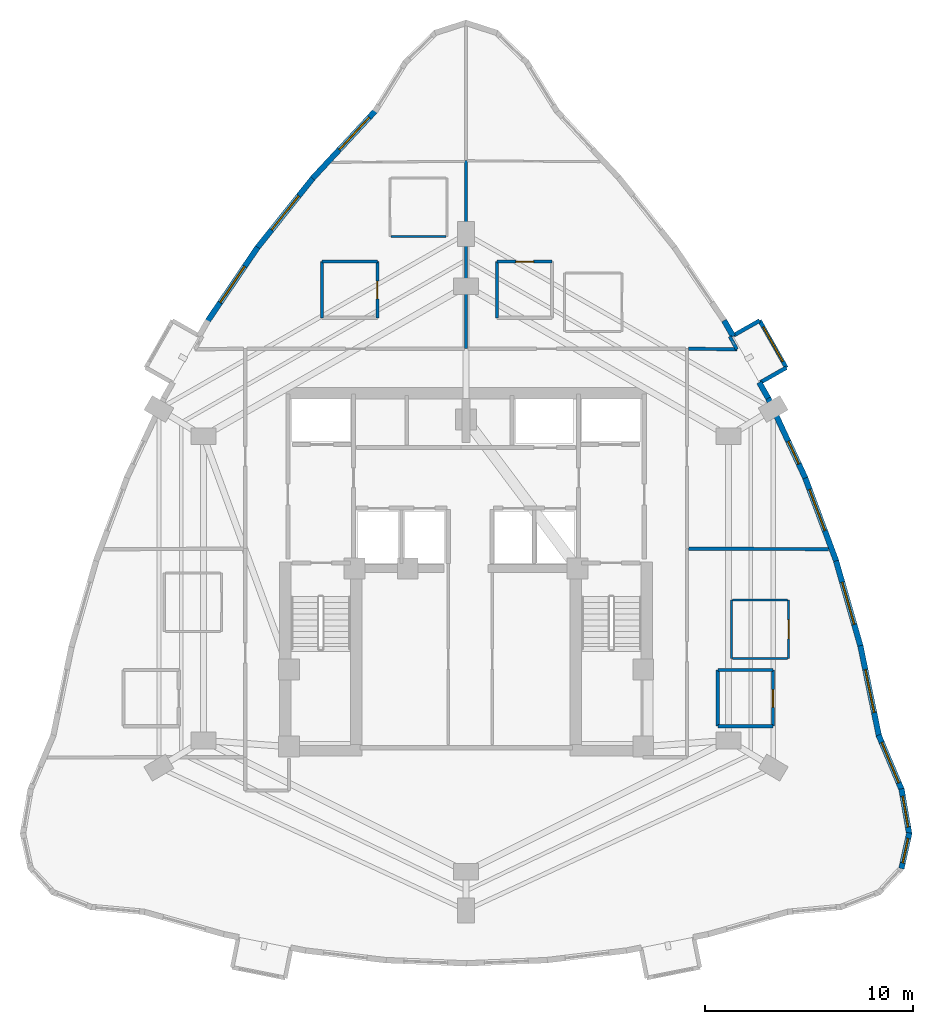
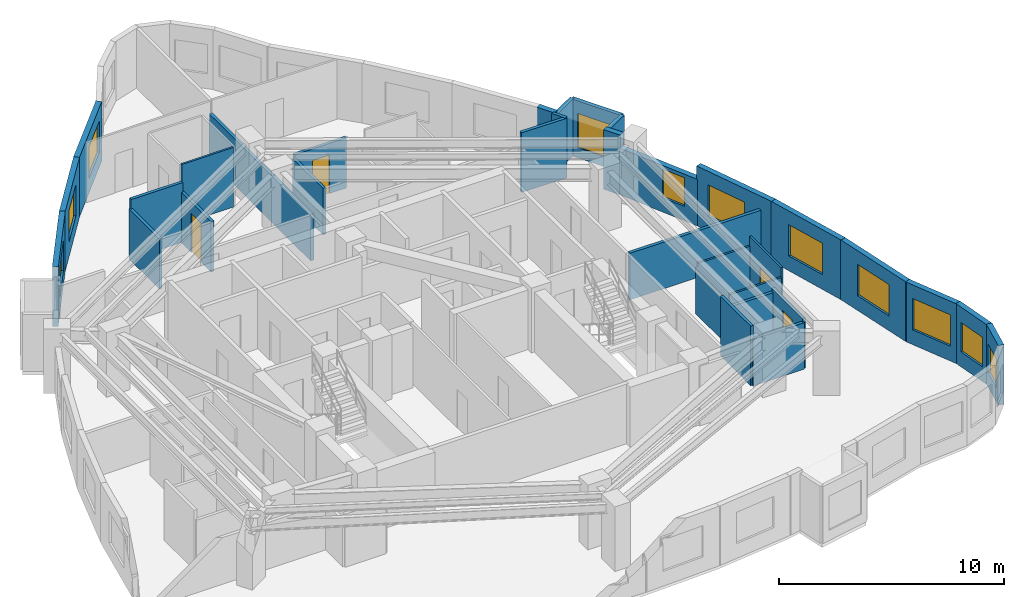
# One storey, part 8 of 10: 33 walls, 11 windows, 4 doors, 15 openings.
"""IFC4 building model written with IfcOpenShell, lengths in metres."""

from ifc_helpers import new_model, si_unit, direction, frame, frame_2d, origin, place, context, subcontext, project, spatial, rectangle, extrude, material, layer, layer_set, type_object, element, fill, save


model = new_model("IFC4")

# Units and contexts
model_context = context("Model", 3, precision=1e-05, world=origin(), true_north=direction((0.0, 1.0)))
body_context = subcontext(model_context, "Body", "Model", "MODEL_VIEW")
ifc_project = project(units=[si_unit("LENGTHUNIT", "METRE"), si_unit("AREAUNIT", "SQUARE_METRE"), si_unit("VOLUMEUNIT", "CUBIC_METRE"), si_unit("PLANEANGLEUNIT", "RADIAN"), si_unit("MASSUNIT", "GRAM", prefix="KILO")], contexts=[model_context])

# Site, building, storey
site_placement = place(None, origin())
site = spatial("IfcSite", under=ifc_project, at=site_placement, CompositionType="ELEMENT")
building_placement = place(site_placement, origin())
building = spatial("IfcBuilding", under=site, at=building_placement, Name="Miruveldt Soraemaru", CompositionType="ELEMENT")
storey_placement = place(building_placement, frame((0.0, 0.0, 166.89990234375)))
storey = spatial("IfcBuildingStorey", under=building, at=storey_placement, Name="L46", CompositionType="ELEMENT", Elevation=166.89990234375)

# Walls
ifc_material_1 = material(Name="White powder-coated aluminium EN AW-6060 T6", Category="aluminium")
ifc_layer_1 = layer(ifc_material_1, 0.18994140625, Name="White powder-coated aluminium EN AW-6060 T6", Category="aluminium")
ifc_layer_set_1 = layer_set([ifc_layer_1], Name="White powder-coated aluminium EN AW-6060 T6")
wall_type_1 = type_object("IfcWallType", Name="WALL-BAY-ALU190", PredefinedType="SOLIDWALL", material=ifc_layer_set_1)
for number, where, z_axis, x_axis, name in (
    (1, (58.132080078125, 52.982666015625, 0.0), (0.0, 0.0, 1.0), (0.869799191674, 0.493405883794, 0.0), "L46 Bay Window Side Cheek 4L"),
    (2, (58.0888671875, 55.947265625, 0.0), (0.0, 0.0, 1.0), (-0.869799191674, -0.493405883794, 0.0), "L46 Bay Window Side Cheek 4R"),
):
    element("IfcWall", number, at=place(storey_placement, frame(where, z_axis=z_axis, x_axis=x_axis)), inside=storey, type_object=wall_type_1, Name=name, PredefinedType="SOLIDWALL", context=body_context, shape_type="SweptSolid", body=[
        extrude(rectangle(XDim=1.425048828125, YDim=0.18994140625, at=frame_2d((0.71240234375, 0.0))), origin(), (0.0, 0.0, 1.0), 3.085205078125),
    ])

# Wall, opening, window
wall_1_placement = place(storey_placement, frame((59.37158203125, 53.685791015625, 0.0), z_axis=(0.0, 0.0, 1.0), x_axis=(-0.493365555553, 0.869822067203, 0.0)))
wall_1 = element("IfcWall", 3, at=wall_1_placement, inside=storey, type_object=wall_type_1, Name="L46 Bay Window Front Frame 4", PredefinedType="SOLIDWALL", context=body_context, shape_type="SweptSolid", body=[
    extrude(rectangle(XDim=2.599853515625, YDim=0.18994140625, at=frame_2d((1.2998046875, 0.0))), origin(), (0.0, 0.0, 1.0), 3.085205078125),
])
opening_1_placement = place(wall_1_placement, frame((0.35009765625, 0.0, 0.550048828125)))
opening_1 = element("IfcOpeningElement", 4, at=opening_1_placement, cuts=wall_1, Name="Opening WN-6", PredefinedType="OPENING", context=body_context, shape_type="SweptSolid", body=[
    extrude(rectangle(XDim=1.89990234375, YDim=1.85009765625, at=frame_2d((0.949951171875, 0.925048828125))), frame((0.0, 0.10498046875, 0.0), z_axis=(0.0, -1.0, 0.0), x_axis=(1.0, 0.0, 0.0)), (0.0, 0.0, 1.0), 0.2099609375),
])
ifc_material_2 = material(Name="Triple low-e insulated glazing", Category="glass")
window_type_1 = type_object("IfcWindowType", Name="WIN-BAYW-1900x1850", PartitioningType="SINGLE_PANEL", PredefinedType="WINDOW", material=ifc_material_2)
window_1_placement = place(opening_1_placement, origin())
window_1 = element("IfcWindow", 5, at=window_1_placement, inside=storey, type_object=window_type_1, Name="L46 Projecting Bay Window 4", OverallHeight=1.85009765625, OverallWidth=1.89990234375, PartitioningType="SINGLE_PANEL", PredefinedType="WINDOW", context=body_context, shape_type="SweptSolid", body=[
    extrude(rectangle(XDim=1.89990234375, YDim=1.85009765625, at=frame_2d((0.949951171875, 0.925048828125))), frame((0.0, 0.030029296875, 0.0), z_axis=(0.0, -1.0, 0.0), x_axis=(1.0, 0.0, 0.0)), (0.0, 0.0, 1.0), 0.06005859375),
])
fill(opening_1, window_1)

ifc_material_3 = material(Name="Precast concrete C45/55 (45 MPa)", Category="concrete")
ifc_layer_2 = layer(ifc_material_3, 0.27001953125, Name="Precast concrete C45/55 (45 MPa)", Category="concrete")
ifc_layer_set_2 = layer_set([ifc_layer_2], Name="Precast concrete C45/55 (45 MPa)")
wall_type_2 = type_object("IfcWallType", Name="WALL-EXT-PC270", PredefinedType="SOLIDWALL", material=ifc_layer_set_2)
wall_2_placement = place(storey_placement, frame((39.665771484375, 66.03076171875, 0.0), z_axis=(0.0, 0.0, 1.0), x_axis=(-0.680840456656, -0.732431752848, 0.0)))
wall_2 = element("IfcWall", 6, at=wall_2_placement, inside=storey, type_object=wall_type_2, Name="L46 Precast Concrete Facade Wall 7", PredefinedType="SOLIDWALL", context=body_context, shape_type="SweptSolid", body=[
    extrude(rectangle(XDim=4.4482421875, YDim=0.27001953125, at=frame_2d((2.22412109375, 0.0))), origin(), (0.0, 0.0, 1.0), 3.235107421875),
])
opening_2_placement = place(wall_2_placement, frame((0.4609375, 0.0, 0.800048828125)))
opening_2 = element("IfcOpeningElement", 7, at=opening_2_placement, cuts=wall_2, Name="Opening WN-1", PredefinedType="OPENING", context=body_context, shape_type="SweptSolid", body=[
    extrude(rectangle(XDim=2.10009765625, YDim=1.699951171875, at=frame_2d((1.050048828125, 0.85009765625))), frame((0.0, 0.14501953125, 0.0), z_axis=(0.0, -1.0, 0.0), x_axis=(1.0, 0.0, 0.0)), (0.0, 0.0, 1.0), 0.2900390625),
])
window_type_2 = type_object("IfcWindowType", Name="WIN-PUNCH-2100x1700", PartitioningType="SINGLE_PANEL", PredefinedType="WINDOW", material=ifc_material_2)
window_2_placement = place(opening_2_placement, origin())
window_2 = element("IfcWindow", 8, at=window_2_placement, inside=storey, type_object=window_type_2, Name="L46 Punched Triple-Glazed Window 07.1", OverallHeight=1.699951171875, OverallWidth=2.10009765625, PartitioningType="SINGLE_PANEL", PredefinedType="WINDOW", context=body_context, shape_type="SweptSolid", body=[
    extrude(rectangle(XDim=2.10009765625, YDim=1.699951171875, at=frame_2d((1.050048828125, 0.85009765625))), frame((0.0, 0.030029296875, 0.0), z_axis=(0.0, -1.0, 0.0), x_axis=(1.0, 0.0, 0.0)), (0.0, 0.0, 1.0), 0.06005859375),
])
fill(opening_2, window_2)

wall_3_placement = place(storey_placement, frame((36.6826171875, 62.82568359375, 0.0), z_axis=(0.0, 0.0, 1.0), x_axis=(-0.623611033504, -0.781734788079, 0.0)))
wall_3 = element("IfcWall", 9, at=wall_3_placement, inside=storey, type_object=wall_type_2, Name="L46 Precast Concrete Facade Wall 8", PredefinedType="SOLIDWALL", context=body_context, shape_type="SweptSolid", body=[
    extrude(rectangle(XDim=4.369384765625, YDim=0.27001953125, at=frame_2d((2.1845703125, 0.0))), origin(), (0.0, 0.0, 1.0), 3.235107421875),
])
opening_3_placement = place(wall_3_placement, frame((1.135009765625, 0.0, 0.800048828125)))
opening_3 = element("IfcOpeningElement", 10, at=opening_3_placement, cuts=wall_3, Name="Opening WN-1", PredefinedType="OPENING", context=body_context, shape_type="SweptSolid", body=[
    extrude(rectangle(XDim=2.10009765625, YDim=1.699951171875, at=frame_2d((1.050048828125, 0.85009765625))), frame((0.0, 0.14501953125, 0.0), z_axis=(0.0, -1.0, 0.0), x_axis=(1.0, 0.0, 0.0)), (0.0, 0.0, 1.0), 0.2900390625),
])
window_3_placement = place(opening_3_placement, origin())
window_3 = element("IfcWindow", 11, at=window_3_placement, inside=storey, type_object=window_type_2, Name="L46 Punched Triple-Glazed Window 08.1", OverallHeight=1.699951171875, OverallWidth=2.10009765625, PartitioningType="SINGLE_PANEL", PredefinedType="WINDOW", context=body_context, shape_type="SweptSolid", body=[
    extrude(rectangle(XDim=2.10009765625, YDim=1.699951171875, at=frame_2d((1.050048828125, 0.85009765625))), frame((0.0, 0.030029296875, 0.0), z_axis=(0.0, -1.0, 0.0), x_axis=(1.0, 0.0, 0.0)), (0.0, 0.0, 1.0), 0.06005859375),
])
fill(opening_3, window_3)

wall_4_placement = place(storey_placement, frame((33.9990234375, 59.46630859375, 0.0), z_axis=(0.0, 0.0, 1.0), x_axis=(-0.560806873165, -0.827946647442, 0.0)))
wall_4 = element("IfcWall", 12, at=wall_4_placement, inside=storey, type_object=wall_type_2, Name="L46 Precast Concrete Facade Wall 9", PredefinedType="SOLIDWALL", context=body_context, shape_type="SweptSolid", body=[
    extrude(rectangle(XDim=4.31640625, YDim=0.27001953125, at=frame_2d((2.158203125, 0.0))), origin(), (0.0, 0.0, 1.0), 3.235107421875),
])
opening_4_placement = place(wall_4_placement, frame((1.10791015625, 0.0, 0.800048828125)))
opening_4 = element("IfcOpeningElement", 13, at=opening_4_placement, cuts=wall_4, Name="Opening WN-1", PredefinedType="OPENING", context=body_context, shape_type="SweptSolid", body=[
    extrude(rectangle(XDim=2.10009765625, YDim=1.699951171875, at=frame_2d((1.050048828125, 0.85009765625))), frame((0.0, 0.14501953125, 0.0), z_axis=(0.0, -1.0, 0.0), x_axis=(1.0, 0.0, 0.0)), (0.0, 0.0, 1.0), 0.2900390625),
])
window_4_placement = place(opening_4_placement, origin())
window_4 = element("IfcWindow", 14, at=window_4_placement, inside=storey, type_object=window_type_2, Name="L46 Punched Triple-Glazed Window 09.1", OverallHeight=1.699951171875, OverallWidth=2.10009765625, PartitioningType="SINGLE_PANEL", PredefinedType="WINDOW", context=body_context, shape_type="SweptSolid", body=[
    extrude(rectangle(XDim=2.10009765625, YDim=1.699951171875, at=frame_2d((1.050048828125, 0.85009765625))), frame((0.0, 0.030029296875, 0.0), z_axis=(0.0, -1.0, 0.0), x_axis=(1.0, 0.0, 0.0)), (0.0, 0.0, 1.0), 0.06005859375),
])
fill(opening_4, window_4)

wall_5_placement = place(storey_placement, frame((64.89453125, 29.64990234375, 0.0), z_axis=(0.0, 0.0, 1.0), x_axis=(0.215809905257, 0.976435397142, 0.0)))
wall_5 = element("IfcWall", 15, at=wall_5_placement, inside=storey, type_object=wall_type_2, Name="L46 Precast Concrete Facade Wall 32", PredefinedType="SOLIDWALL", context=body_context, shape_type="SweptSolid", body=[
    extrude(rectangle(XDim=1.75341796875, YDim=0.27001953125, at=frame_2d((0.876708984375, 0.0))), origin(), (0.0, 0.0, 1.0), 3.235107421875),
])
opening_5_placement = place(wall_5_placement, frame((0.277099609375, 0.0, 0.780029296875)))
opening_5 = element("IfcOpeningElement", 16, at=opening_5_placement, cuts=wall_5, Name="Opening WN-4", PredefinedType="OPENING", context=body_context, shape_type="SweptSolid", body=[
    extrude(rectangle(XDim=1.199951171875, YDim=1.550048828125, at=frame_2d((0.60009765625, 0.77490234375))), frame((0.0, 0.14501953125, 0.0), z_axis=(0.0, -1.0, 0.0), x_axis=(1.0, 0.0, 0.0)), (0.0, 0.0, 1.0), 0.2900390625),
])
window_type_3 = type_object("IfcWindowType", Name="WIN-PUNCH-1200x1550", PartitioningType="SINGLE_PANEL", PredefinedType="WINDOW", material=ifc_material_2)
window_5_placement = place(opening_5_placement, origin())
window_5 = element("IfcWindow", 17, at=window_5_placement, inside=storey, type_object=window_type_3, Name="L46 Punched Triple-Glazed Window 32.1", OverallHeight=1.550048828125, OverallWidth=1.199951171875, PartitioningType="SINGLE_PANEL", PredefinedType="WINDOW", context=body_context, shape_type="SweptSolid", body=[
    extrude(rectangle(XDim=1.199951171875, YDim=1.550048828125, at=frame_2d((0.60009765625, 0.77490234375))), frame((0.0, 0.030029296875, 0.0), z_axis=(0.0, -1.0, 0.0), x_axis=(1.0, 0.0, 0.0)), (0.0, 0.0, 1.0), 0.06005859375),
])
fill(opening_5, window_5)

wall_6_placement = place(storey_placement, frame((65.271240234375, 31.293212890625, 0.0), z_axis=(0.0, 0.0, 1.0), x_axis=(-0.169330983726, 0.985559241218, 0.0)))
wall_6 = element("IfcWall", 18, at=wall_6_placement, inside=storey, type_object=wall_type_2, Name="L46 Precast Concrete Facade Wall 33", PredefinedType="SOLIDWALL", context=body_context, shape_type="SweptSolid", body=[
    extrude(rectangle(XDim=2.214599609375, YDim=0.27001953125, at=frame_2d((1.107421875, 0.0))), origin(), (0.0, 0.0, 1.0), 3.235107421875),
])
opening_6_placement = place(wall_6_placement, frame((0.35693359375, 0.0, 0.800048828125)))
opening_6 = element("IfcOpeningElement", 19, at=opening_6_placement, cuts=wall_6, Name="Opening WN-3", PredefinedType="OPENING", context=body_context, shape_type="SweptSolid", body=[
    extrude(rectangle(XDim=1.5, YDim=1.60009765625, at=frame_2d((0.75, 0.800048828125))), frame((0.0, 0.14501953125, 0.0), z_axis=(0.0, -1.0, 0.0), x_axis=(1.0, 0.0, 0.0)), (0.0, 0.0, 1.0), 0.2900390625),
])
window_type_4 = type_object("IfcWindowType", Name="WIN-PUNCH-1500x1600", PartitioningType="SINGLE_PANEL", PredefinedType="WINDOW", material=ifc_material_2)
window_6_placement = place(opening_6_placement, origin())
window_6 = element("IfcWindow", 20, at=window_6_placement, inside=storey, type_object=window_type_4, Name="L46 Punched Triple-Glazed Window 33.1", OverallHeight=1.60009765625, OverallWidth=1.5, PartitioningType="SINGLE_PANEL", PredefinedType="WINDOW", context=body_context, shape_type="SweptSolid", body=[
    extrude(rectangle(XDim=1.5, YDim=1.60009765625, at=frame_2d((0.75, 0.800048828125))), frame((0.0, 0.030029296875, 0.0), z_axis=(0.0, -1.0, 0.0), x_axis=(1.0, 0.0, 0.0)), (0.0, 0.0, 1.0), 0.06005859375),
])
fill(opening_6, window_6)

wall_7_placement = place(storey_placement, frame((64.915771484375, 33.4091796875, 0.0), z_axis=(0.0, 0.0, 1.0), x_axis=(-0.388641898972, 0.921388883351, 0.0)))
wall_7 = element("IfcWall", 21, at=wall_7_placement, inside=storey, type_object=wall_type_2, Name="L46 Precast Concrete Facade Wall 34", PredefinedType="SOLIDWALL", context=body_context, shape_type="SweptSolid", body=[
    extrude(rectangle(XDim=2.873291015625, YDim=0.27001953125, at=frame_2d((1.4365234375, 0.0))), origin(), (0.0, 0.0, 1.0), 3.235107421875),
])
opening_7_placement = place(wall_7_placement, frame((0.386962890625, 0.0, 0.800048828125)))
opening_7 = element("IfcOpeningElement", 22, at=opening_7_placement, cuts=wall_7, Name="Opening WN-1", PredefinedType="OPENING", context=body_context, shape_type="SweptSolid", body=[
    extrude(rectangle(XDim=2.10009765625, YDim=1.699951171875, at=frame_2d((1.050048828125, 0.85009765625))), frame((0.0, 0.14501953125, 0.0), z_axis=(0.0, -1.0, 0.0), x_axis=(1.0, 0.0, 0.0)), (0.0, 0.0, 1.0), 0.2900390625),
])
window_7_placement = place(opening_7_placement, origin())
window_7 = element("IfcWindow", 23, at=window_7_placement, inside=storey, type_object=window_type_2, Name="L46 Punched Triple-Glazed Window 34.1", OverallHeight=1.699951171875, OverallWidth=2.10009765625, PartitioningType="SINGLE_PANEL", PredefinedType="WINDOW", context=body_context, shape_type="SweptSolid", body=[
    extrude(rectangle(XDim=2.10009765625, YDim=1.699951171875, at=frame_2d((1.050048828125, 0.85009765625))), frame((0.0, 0.030029296875, 0.0), z_axis=(0.0, -1.0, 0.0), x_axis=(1.0, 0.0, 0.0)), (0.0, 0.0, 1.0), 0.06005859375),
])
fill(opening_7, window_7)

wall_8_placement = place(storey_placement, frame((63.81982421875, 35.990234375, 0.0), z_axis=(0.0, 0.0, 1.0), x_axis=(-0.201580139361, 0.979472024825, 0.0)))
wall_8 = element("IfcWall", 24, at=wall_8_placement, inside=storey, type_object=wall_type_2, Name="L46 Precast Concrete Facade Wall 35", PredefinedType="SOLIDWALL", context=body_context, shape_type="SweptSolid", body=[
    extrude(rectangle(XDim=4.448486328125, YDim=0.27001953125, at=frame_2d((2.22412109375, 0.0))), origin(), (0.0, 0.0, 1.0), 3.235107421875),
])
opening_8_placement = place(wall_8_placement, frame((1.174072265625, 0.0, 0.800048828125)))
opening_8 = element("IfcOpeningElement", 25, at=opening_8_placement, cuts=wall_8, Name="Opening WN-1", PredefinedType="OPENING", context=body_context, shape_type="SweptSolid", body=[
    extrude(rectangle(XDim=2.10009765625, YDim=1.699951171875, at=frame_2d((1.050048828125, 0.85009765625))), frame((0.0, 0.14501953125, 0.0), z_axis=(0.0, -1.0, 0.0), x_axis=(1.0, 0.0, 0.0)), (0.0, 0.0, 1.0), 0.2900390625),
])
window_8_placement = place(opening_8_placement, origin())
window_8 = element("IfcWindow", 26, at=window_8_placement, inside=storey, type_object=window_type_2, Name="L46 Punched Triple-Glazed Window 35.1", OverallHeight=1.699951171875, OverallWidth=2.10009765625, PartitioningType="SINGLE_PANEL", PredefinedType="WINDOW", context=body_context, shape_type="SweptSolid", body=[
    extrude(rectangle(XDim=2.10009765625, YDim=1.699951171875, at=frame_2d((1.050048828125, 0.85009765625))), frame((0.0, 0.030029296875, 0.0), z_axis=(0.0, -1.0, 0.0), x_axis=(1.0, 0.0, 0.0)), (0.0, 0.0, 1.0), 0.06005859375),
])
fill(opening_8, window_8)

wall_9_placement = place(storey_placement, frame((62.939697265625, 40.279296875, 0.0), z_axis=(0.0, 0.0, 1.0), x_axis=(-0.274935112835, 0.961462783331, 0.0)))
wall_9 = element("IfcWall", 27, at=wall_9_placement, inside=storey, type_object=wall_type_2, Name="L46 Precast Concrete Facade Wall 36", PredefinedType="SOLIDWALL", context=body_context, shape_type="SweptSolid", body=[
    extrude(rectangle(XDim=4.369873046875, YDim=0.27001953125, at=frame_2d((2.18505859375, 0.0))), origin(), (0.0, 0.0, 1.0), 3.235107421875),
])
opening_9_placement = place(wall_9_placement, frame((1.135009765625, 0.0, 0.800048828125)))
opening_9 = element("IfcOpeningElement", 28, at=opening_9_placement, cuts=wall_9, Name="Opening WN-1", PredefinedType="OPENING", context=body_context, shape_type="SweptSolid", body=[
    extrude(rectangle(XDim=2.10009765625, YDim=1.699951171875, at=frame_2d((1.050048828125, 0.85009765625))), frame((0.0, 0.14501953125, 0.0), z_axis=(0.0, -1.0, 0.0), x_axis=(1.0, 0.0, 0.0)), (0.0, 0.0, 1.0), 0.2900390625),
])
window_9_placement = place(opening_9_placement, origin())
window_9 = element("IfcWindow", 29, at=window_9_placement, inside=storey, type_object=window_type_2, Name="L46 Punched Triple-Glazed Window 36.1", OverallHeight=1.699951171875, OverallWidth=2.10009765625, PartitioningType="SINGLE_PANEL", PredefinedType="WINDOW", context=body_context, shape_type="SweptSolid", body=[
    extrude(rectangle(XDim=2.10009765625, YDim=1.699951171875, at=frame_2d((1.050048828125, 0.85009765625))), frame((0.0, 0.030029296875, 0.0), z_axis=(0.0, -1.0, 0.0), x_axis=(1.0, 0.0, 0.0)), (0.0, 0.0, 1.0), 0.06005859375),
])
fill(opening_9, window_9)

wall_10_placement = place(storey_placement, frame((61.760009765625, 44.4140625, 0.0), z_axis=(0.0, 0.0, 1.0), x_axis=(-0.349039876874, 0.937107872313, 0.0)))
wall_10 = element("IfcWall", 30, at=wall_10_placement, inside=storey, type_object=wall_type_2, Name="L46 Precast Concrete Facade Wall 37", PredefinedType="SOLIDWALL", context=body_context, shape_type="SweptSolid", body=[
    extrude(rectangle(XDim=4.31640625, YDim=0.27001953125, at=frame_2d((2.158203125, 0.0))), origin(), (0.0, 0.0, 1.0), 3.235107421875),
])
opening_10_placement = place(wall_10_placement, frame((1.556884765625, 0.0, 0.800048828125)))
opening_10 = element("IfcOpeningElement", 31, at=opening_10_placement, cuts=wall_10, Name="Opening WN-1", PredefinedType="OPENING", context=body_context, shape_type="SweptSolid", body=[
    extrude(rectangle(XDim=2.10009765625, YDim=1.699951171875, at=frame_2d((1.050048828125, 0.85009765625))), frame((0.0, 0.14501953125, 0.0), z_axis=(0.0, -1.0, 0.0), x_axis=(1.0, 0.0, 0.0)), (0.0, 0.0, 1.0), 0.2900390625),
])
window_10_placement = place(opening_10_placement, origin())
window_10 = element("IfcWindow", 32, at=window_10_placement, inside=storey, type_object=window_type_2, Name="L46 Punched Triple-Glazed Window 37.1", OverallHeight=1.699951171875, OverallWidth=2.10009765625, PartitioningType="SINGLE_PANEL", PredefinedType="WINDOW", context=body_context, shape_type="SweptSolid", body=[
    extrude(rectangle(XDim=2.10009765625, YDim=1.699951171875, at=frame_2d((1.050048828125, 0.85009765625))), frame((0.0, 0.030029296875, 0.0), z_axis=(0.0, -1.0, 0.0), x_axis=(1.0, 0.0, 0.0)), (0.0, 0.0, 1.0), 0.06005859375),
])
fill(opening_10, window_10)

wall_11_placement = place(storey_placement, frame((60.280517578125, 48.39453125, 0.0), z_axis=(0.0, 0.0, 1.0), x_axis=(-0.422296510574, 0.906457752549, 0.0)))
wall_11 = element("IfcWall", 33, at=wall_11_placement, inside=storey, type_object=wall_type_2, Name="L46 Precast Concrete Facade Wall 38", PredefinedType="SOLIDWALL", context=body_context, shape_type="SweptSolid", body=[
    extrude(rectangle(XDim=4.289794921875, YDim=0.27001953125, at=frame_2d((2.14501953125, 0.0))), origin(), (0.0, 0.0, 1.0), 2.523193359375),
])
opening_11_placement = place(wall_11_placement, frame((0.740966796875, 0.0, 0.780029296875)))
opening_11 = element("IfcOpeningElement", 34, at=opening_11_placement, cuts=wall_11, Name="Opening WN-4", PredefinedType="OPENING", context=body_context, shape_type="SweptSolid", body=[
    extrude(rectangle(XDim=1.199951171875, YDim=1.550048828125, at=frame_2d((0.60009765625, 0.77490234375))), frame((0.0, 0.14501953125, 0.0), z_axis=(0.0, -1.0, 0.0), x_axis=(1.0, 0.0, 0.0)), (0.0, 0.0, 1.0), 0.2900390625),
])
window_11_placement = place(opening_11_placement, origin())
window_11 = element("IfcWindow", 35, at=window_11_placement, inside=storey, type_object=window_type_3, Name="L46 Punched Triple-Glazed Window 38.1", OverallHeight=1.550048828125, OverallWidth=1.199951171875, PartitioningType="SINGLE_PANEL", PredefinedType="WINDOW", context=body_context, shape_type="SweptSolid", body=[
    extrude(rectangle(XDim=1.199951171875, YDim=1.550048828125, at=frame_2d((0.60009765625, 0.77490234375))), frame((0.0, 0.030029296875, 0.0), z_axis=(0.0, -1.0, 0.0), x_axis=(1.0, 0.0, 0.0)), (0.0, 0.0, 1.0), 0.06005859375),
])
fill(opening_11, window_11)

# Walls
for number, where, z_axis, x_axis, name in (
    (36, (58.501220703125, 52.220703125, 0.0), (0.0, 0.0, 1.0), (-0.493371618473, 0.86981862827, 0.0), "L46 Precast Pier Wall 39A"),
    (37, (56.81640625, 55.19091796875, 0.0), (0.0, 0.0, 1.0), (-0.493371618473, 0.86981862827, 0.0), "L46 Precast Pier Wall 39B"),
):
    element("IfcWall", number, at=place(storey_placement, frame(where, z_axis=z_axis, x_axis=x_axis)), inside=storey, type_object=wall_type_2, Name=name, PredefinedType="SOLIDWALL", context=body_context, shape_type="SweptSolid", body=[
        extrude(rectangle(XDim=0.875, YDim=0.27001953125, at=frame_2d((0.4375, 0.0))), origin(), (0.0, 0.0, 1.0), 3.235107421875),
    ])

# Wall, opening, door
ifc_material_4 = material(Name="Gypsum plasterboard lining", Category="gypsum")
ifc_layer_3 = layer(ifc_material_4, 0.10009765625, Name="Gypsum plasterboard lining", Category="gypsum")
ifc_layer_set_3 = layer_set([ifc_layer_3], Name="Gypsum plasterboard lining")
wall_type_3 = type_object("IfcWallType", Name="WALL-INT-P100", PredefinedType="PARTITIONING", material=ifc_layer_set_3)
wall_12_placement = place(storey_placement, frame((59.47998046875, 39.72998046875, 0.0), z_axis=(0.0, 0.0, 1.0), x_axis=(0.0, 1.0, 0.0)))
wall_12 = element("IfcWall", 38, at=wall_12_placement, inside=storey, type_object=wall_type_3, Name="L46 Partition Wall 48", PredefinedType="PARTITIONING", context=body_context, shape_type="SweptSolid", body=[
    extrude(rectangle(XDim=2.800048828125, YDim=0.10009765625, at=frame_2d((1.39990234375, 0.0))), origin(), (0.0, 0.0, 1.0), 3.235107421875),
])
opening_12_placement = place(wall_12_placement, frame((0.93994140625, 0.0, 0.0)))
opening_12 = element("IfcOpeningElement", 39, at=opening_12_placement, cuts=wall_12, Name="Opening D3A", PredefinedType="OPENING", context=body_context, shape_type="SweptSolid", body=[
    extrude(rectangle(XDim=0.919921875, YDim=2.10009765625, at=frame_2d((0.4599609375, 1.050048828125))), frame((0.0, 0.06005859375, 0.0), z_axis=(0.0, -1.0, 0.0), x_axis=(1.0, 0.0, 0.0)), (0.0, 0.0, 1.0), 0.1201171875),
])
ifc_material_5 = material(Name="Anodised aluminium EN AW-6063 T6", Category="aluminium")
door_type_1 = type_object("IfcDoorType", Name="DOOR-INT-920", OperationType="NOTDEFINED", PredefinedType="DOOR", material=ifc_material_5)
door_1_placement = place(opening_12_placement, origin())
door_1 = element("IfcDoor", 40, at=door_1_placement, inside=storey, type_object=door_type_1, Name="L46 Unit 4606 KIT Door", OperationType="SINGLE_SWING_LEFT", OverallHeight=2.10009765625, OverallWidth=0.919921875, PredefinedType="DOOR", context=body_context, shape_type="SweptSolid", body=[
    extrude(rectangle(XDim=0.919921875, YDim=2.10009765625, at=frame_2d((0.4599609375, 1.050048828125))), frame((0.0, 0.02490234375, 0.0), z_axis=(0.0, -1.0, 0.0), x_axis=(1.0, 0.0, 0.0)), (0.0, 0.0, 1.0), 0.050048828125),
])
fill(opening_12, door_1)

# Walls
wall_13_placement = place(storey_placement, frame((56.72998046875, 42.530029296875, 0.0), z_axis=(0.0, 0.0, 1.0), x_axis=(0.0, -1.0, 0.0)))
element("IfcWall", 41, at=wall_13_placement, inside=storey, type_object=wall_type_3, Name="L46 Partition Wall 50", PredefinedType="PARTITIONING", context=body_context, shape_type="SweptSolid", body=[
    extrude(rectangle(XDim=2.800048828125, YDim=0.10009765625, at=frame_2d((1.39990234375, 0.0))), origin(), (0.0, 0.0, 1.0), 2.523193359375),
])
wall_14_placement = place(storey_placement, frame((40.39208984375, 59.97998046875, 0.0), z_axis=(0.0, 0.0, 1.0), x_axis=(1.0, 0.0, 0.0)))
element("IfcWall", 42, at=wall_14_placement, inside=storey, type_object=wall_type_3, Name="L46 Partition Wall 18", PredefinedType="PARTITIONING", context=body_context, shape_type="SweptSolid", body=[
    extrude(rectangle(XDim=2.64990234375, YDim=0.10009765625, at=frame_2d((1.324951171875, 0.0))), origin(), (0.0, 0.0, 1.0), 3.235107421875),
])
for number, where, z_axis, x_axis, name in (
    (43, (59.429931640625, 42.530029296875, 0.0), (0.0, 0.0, 1.0), (-1.0, 0.0, 0.0), "L46 Partition Wall 49"),
    (44, (56.780029296875, 39.72998046875, 0.0), (0.0, 0.0, 1.0), (1.0, 0.0, 0.0), "L46 Partition Wall 51"),
):
    element("IfcWall", number, at=place(storey_placement, frame(where, z_axis=z_axis, x_axis=x_axis)), inside=storey, type_object=wall_type_3, Name=name, PredefinedType="PARTITIONING", context=body_context, shape_type="SweptSolid", body=[
        extrude(rectangle(XDim=2.64990234375, YDim=0.10009765625, at=frame_2d((1.324951171875, 0.0))), origin(), (0.0, 0.0, 1.0), 2.72314453125),
    ])

# Wall, opening, door
ifc_layer_4 = layer(ifc_material_4, 0.14990234375, Name="Gypsum plasterboard lining", Category="gypsum")
ifc_layer_set_4 = layer_set([ifc_layer_4], Name="Gypsum plasterboard lining")
wall_type_4 = type_object("IfcWallType", Name="WALL-INT-PLUMB", PredefinedType="PLUMBINGWALL", material=ifc_layer_set_4)
wall_15_placement = place(storey_placement, frame((39.741943359375, 56.080078125, 0.0), z_axis=(0.0, 0.0, 1.0), x_axis=(0.0, 1.0, 0.0)))
wall_15 = element("IfcWall", 45, at=wall_15_placement, inside=storey, type_object=wall_type_4, Name="L46 Partition Wall 11", PredefinedType="PLUMBINGWALL", context=body_context, shape_type="SweptSolid", body=[
    extrude(rectangle(XDim=2.699951171875, YDim=0.14990234375, at=frame_2d((1.35009765625, 0.0))), origin(), (0.0, 0.0, 1.0), 2.72314453125),
])
opening_13_placement = place(wall_15_placement, frame((0.909912109375, 0.0, 0.0)))
opening_13 = element("IfcOpeningElement", 46, at=opening_13_placement, cuts=wall_15, Name="Opening FD3", PredefinedType="OPENING", context=body_context, shape_type="SweptSolid", body=[
    extrude(rectangle(XDim=0.85009765625, YDim=2.10009765625, at=frame_2d((0.425048828125, 1.050048828125))), frame((0.0, 0.0849609375, 0.0), z_axis=(0.0, -1.0, 0.0), x_axis=(1.0, 0.0, 0.0)), (0.0, 0.0, 1.0), 0.169921875),
])
door_type_2 = type_object("IfcDoorType", Name="DOOR-FD3-850", OperationType="NOTDEFINED", PredefinedType="DOOR", material=ifc_material_5)
door_2_placement = place(opening_13_placement, origin())
door_2 = element("IfcDoor", 47, at=door_2_placement, inside=storey, type_object=door_type_2, Name="L46 Unit 4601 BTH Door", OperationType="SINGLE_SWING_LEFT", OverallHeight=2.10009765625, OverallWidth=0.85009765625, PredefinedType="DOOR", context=body_context, shape_type="SweptSolid", body=[
    extrude(rectangle(XDim=0.85009765625, YDim=2.10009765625, at=frame_2d((0.425048828125, 1.050048828125))), frame((0.0, 0.02490234375, 0.0), z_axis=(0.0, -1.0, 0.0), x_axis=(1.0, 0.0, 0.0)), (0.0, 0.0, 1.0), 0.050048828125),
])
fill(opening_13, door_2)

wall_16_placement = place(storey_placement, frame((58.72998046875, 36.47998046875, 0.0), z_axis=(0.0, 0.0, 1.0), x_axis=(0.0, 1.0, 0.0)))
wall_16 = element("IfcWall", 48, at=wall_16_placement, inside=storey, type_object=wall_type_4, Name="L46 Partition Wall 44", PredefinedType="PLUMBINGWALL", context=body_context, shape_type="SweptSolid", body=[
    extrude(rectangle(XDim=2.699951171875, YDim=0.14990234375, at=frame_2d((1.35009765625, 0.0))), origin(), (0.0, 0.0, 1.0), 2.72314453125),
])
opening_14_placement = place(wall_16_placement, frame((0.909912109375, 0.0, 0.0)))
opening_14 = element("IfcOpeningElement", 49, at=opening_14_placement, cuts=wall_16, Name="Opening FD3", PredefinedType="OPENING", context=body_context, shape_type="SweptSolid", body=[
    extrude(rectangle(XDim=0.85009765625, YDim=2.10009765625, at=frame_2d((0.425048828125, 1.050048828125))), frame((0.0, 0.0849609375, 0.0), z_axis=(0.0, -1.0, 0.0), x_axis=(1.0, 0.0, 0.0)), (0.0, 0.0, 1.0), 0.169921875),
])
door_3_placement = place(opening_14_placement, origin())
door_3 = element("IfcDoor", 50, at=door_3_placement, inside=storey, type_object=door_type_2, Name="L46 Unit 4606 BTH Door", OperationType="SINGLE_SWING_RIGHT", OverallHeight=2.10009765625, OverallWidth=0.85009765625, PredefinedType="DOOR", context=body_context, shape_type="SweptSolid", body=[
    extrude(rectangle(XDim=0.85009765625, YDim=2.10009765625, at=frame_2d((0.425048828125, 1.050048828125))), frame((0.0, 0.02490234375, 0.0), z_axis=(0.0, -1.0, 0.0), x_axis=(1.0, 0.0, 0.0)), (0.0, 0.0, 1.0), 0.050048828125),
])
fill(opening_14, door_3)

wall_17_placement = place(storey_placement, frame((48.1298828125, 58.780029296875, 0.0), z_axis=(0.0, 0.0, 1.0), x_axis=(-1.0, 0.0, 0.0)))
wall_17 = element("IfcWall", 51, at=wall_17_placement, inside=storey, type_object=wall_type_4, Name="L46 Partition Wall 24", PredefinedType="PLUMBINGWALL", context=body_context, shape_type="SweptSolid", body=[
    extrude(rectangle(XDim=2.64990234375, YDim=0.14990234375, at=frame_2d((1.324951171875, 0.0))), origin(), (0.0, 0.0, 1.0), 2.72314453125),
])
opening_15_placement = place(wall_17_placement, frame((0.885009765625, 0.0, 0.0)))
opening_15 = element("IfcOpeningElement", 52, at=opening_15_placement, cuts=wall_17, Name="Opening FD3", PredefinedType="OPENING", context=body_context, shape_type="SweptSolid", body=[
    extrude(rectangle(XDim=0.85009765625, YDim=2.10009765625, at=frame_2d((0.425048828125, 1.050048828125))), frame((0.0, 0.0849609375, 0.0), z_axis=(0.0, -1.0, 0.0), x_axis=(1.0, 0.0, 0.0)), (0.0, 0.0, 1.0), 0.169921875),
])
door_4_placement = place(opening_15_placement, origin())
door_4 = element("IfcDoor", 53, at=door_4_placement, inside=storey, type_object=door_type_2, Name="L46 Unit 4602 BTH Door", OperationType="SINGLE_SWING_LEFT", OverallHeight=2.10009765625, OverallWidth=0.85009765625, PredefinedType="DOOR", context=body_context, shape_type="SweptSolid", body=[
    extrude(rectangle(XDim=0.85009765625, YDim=2.10009765625, at=frame_2d((0.425048828125, 1.050048828125))), frame((0.0, 0.02490234375, 0.0), z_axis=(0.0, -1.0, 0.0), x_axis=(1.0, 0.0, 0.0)), (0.0, 0.0, 1.0), 0.050048828125),
])
fill(opening_15, door_4)

# Walls
wall_18_placement = place(storey_placement, frame((37.092041015625, 58.780029296875, 0.0), z_axis=(0.0, 0.0, 1.0), x_axis=(0.0, -1.0, 0.0)))
element("IfcWall", 54, at=wall_18_placement, inside=storey, type_object=wall_type_4, Name="L46 Partition Wall 13", PredefinedType="PLUMBINGWALL", context=body_context, shape_type="SweptSolid", body=[
    extrude(rectangle(XDim=2.699951171875, YDim=0.14990234375, at=frame_2d((1.35009765625, 0.0))), origin(), (0.0, 0.0, 1.0), 2.72314453125),
])
wall_19_placement = place(storey_placement, frame((45.47998046875, 58.780029296875, 0.0), z_axis=(0.0, 0.0, 1.0), x_axis=(0.0, -1.0, 0.0)))
element("IfcWall", 55, at=wall_19_placement, inside=storey, type_object=wall_type_4, Name="L46 Partition Wall 25", PredefinedType="PLUMBINGWALL", context=body_context, shape_type="SweptSolid", body=[
    extrude(rectangle(XDim=2.699951171875, YDim=0.14990234375, at=frame_2d((1.35009765625, 0.0))), origin(), (0.0, 0.0, 1.0), 2.523193359375),
])
wall_20_placement = place(storey_placement, frame((56.080078125, 39.179931640625, 0.0), z_axis=(0.0, 0.0, 1.0), x_axis=(0.0, -1.0, 0.0)))
element("IfcWall", 56, at=wall_20_placement, inside=storey, type_object=wall_type_4, Name="L46 Partition Wall 46", PredefinedType="PLUMBINGWALL", context=body_context, shape_type="SweptSolid", body=[
    extrude(rectangle(XDim=2.699951171875, YDim=0.14990234375, at=frame_2d((1.35009765625, 0.0))), origin(), (0.0, 0.0, 1.0), 3.235107421875),
])
wall_21_placement = place(storey_placement, frame((39.741943359375, 58.780029296875, 0.0), z_axis=(0.0, 0.0, 1.0), x_axis=(-1.0, 0.0, 0.0)))
element("IfcWall", 57, at=wall_21_placement, inside=storey, type_object=wall_type_4, Name="L46 Partition Wall 12", PredefinedType="PLUMBINGWALL", context=body_context, shape_type="SweptSolid", body=[
    extrude(rectangle(XDim=2.64990234375, YDim=0.14990234375, at=frame_2d((1.324951171875, 0.0))), origin(), (0.0, 0.0, 1.0), 3.235107421875),
])
for number, where, z_axis, x_axis, name in (
    (58, (58.72998046875, 39.179931640625, 0.0), (0.0, 0.0, 1.0), (-1.0, 0.0, 0.0), "L46 Partition Wall 45"),
    (59, (56.080078125, 36.47998046875, 0.0), (0.0, 0.0, 1.0), (1.0, 0.0, 0.0), "L46 Partition Wall 47"),
):
    element("IfcWall", number, at=place(storey_placement, frame(where, z_axis=z_axis, x_axis=x_axis)), inside=storey, type_object=wall_type_4, Name=name, PredefinedType="PLUMBINGWALL", context=body_context, shape_type="SweptSolid", body=[
        extrude(rectangle(XDim=2.64990234375, YDim=0.14990234375, at=frame_2d((1.324951171875, 0.0))), origin(), (0.0, 0.0, 1.0), 2.523193359375),
    ])
ifc_material_6 = material(Name="Concrete C40/50 (40 MPa)", Category="concrete")
ifc_layer_5 = layer(ifc_material_6, 0.159912109375, Name="Concrete C40/50 (40 MPa)", Category="concrete")
ifc_layer_set_5 = layer_set([ifc_layer_5], Name="Concrete C40/50 (40 MPa)")
wall_type_5 = type_object("IfcWallType", Name="WALL-INT-RC160", PredefinedType="SOLIDWALL", material=ifc_layer_set_5)
wall_22_placement = place(storey_placement, frame((44.0, 54.60302734375, 0.0), z_axis=(0.0, 0.0, 1.0), x_axis=(0.0, 1.0, 0.0)))
element("IfcWall", 60, at=wall_22_placement, inside=storey, type_object=wall_type_5, Name="L46 Partition Wall 20", PredefinedType="SOLIDWALL", context=body_context, shape_type="SweptSolid", body=[
    extrude(rectangle(XDim=9.014892578125, YDim=0.159912109375, at=frame_2d((4.50732421875, 0.0))), origin(), (0.0, 0.0, 1.0), 2.523193359375),
])
wall_23_placement = place(storey_placement, frame((54.68701171875, 45.0, 0.0), z_axis=(0.0, 0.0, 1.0), x_axis=(0.999994627102, -0.003278073809, 0.0)))
element("IfcWall", 61, at=wall_23_placement, inside=storey, type_object=wall_type_5, Name="L46 Partition Wall 43", PredefinedType="SOLIDWALL", context=body_context, shape_type="SweptSolid", body=[
    extrude(rectangle(XDim=6.702880859375, YDim=0.159912109375, at=frame_2d((3.3515625, 0.0))), origin(), (0.0, 0.0, 1.0), 2.523193359375),
])
wall_24_placement = place(storey_placement, frame((54.679931640625, 54.59912109375, 0.0), z_axis=(0.0, 0.0, 1.0), x_axis=(0.999891407569, -0.014736793037, 0.0)))
element("IfcWall", 62, at=wall_24_placement, inside=storey, type_object=wall_type_5, Name="L46 Partition Wall 32", PredefinedType="SOLIDWALL", context=body_context, shape_type="SweptSolid", body=[
    extrude(rectangle(XDim=2.3193359375, YDim=0.159912109375, at=frame_2d((1.15966796875, 0.0))), origin(), (0.0, 0.0, 1.0), 3.235107421875),
])
wall_25_placement = place(storey_placement, frame((56.9990234375, 54.56494140625, 0.0), z_axis=(0.0, 0.0, 1.0), x_axis=(-0.485062759836, 0.874479341677, 0.0)))
element("IfcWall", 63, at=wall_25_placement, inside=storey, type_object=wall_type_5, Name="L46 Partition Closure Return 2", PredefinedType="SOLIDWALL", context=body_context, shape_type="SweptSolid", body=[
    extrude(rectangle(XDim=0.714599609375, YDim=0.159912109375, at=frame_2d((0.357421875, 0.0))), origin(), (0.0, 0.0, 1.0), 3.235107421875),
])

save(model, "model.ifc")
